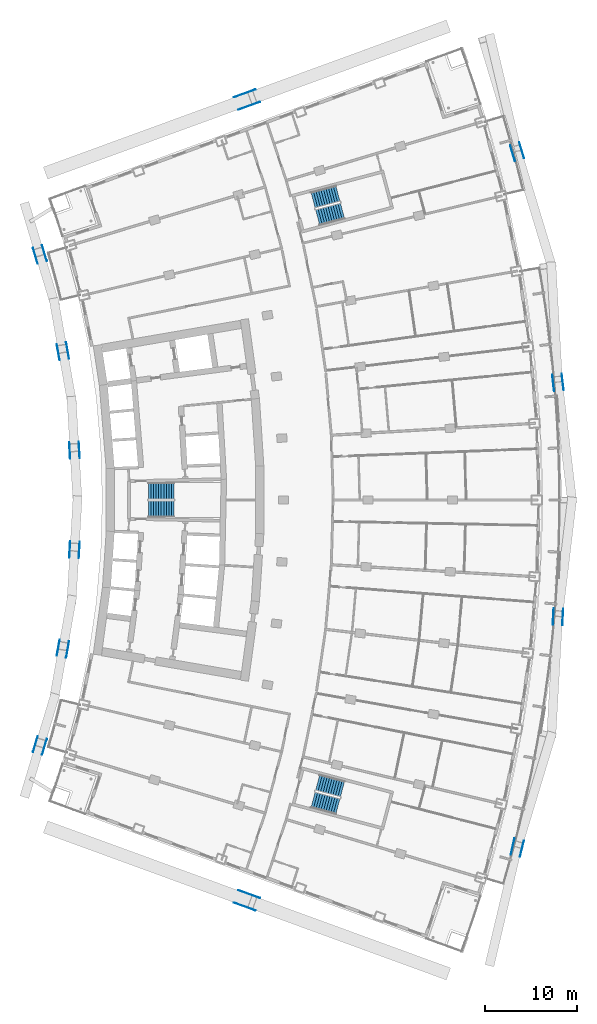
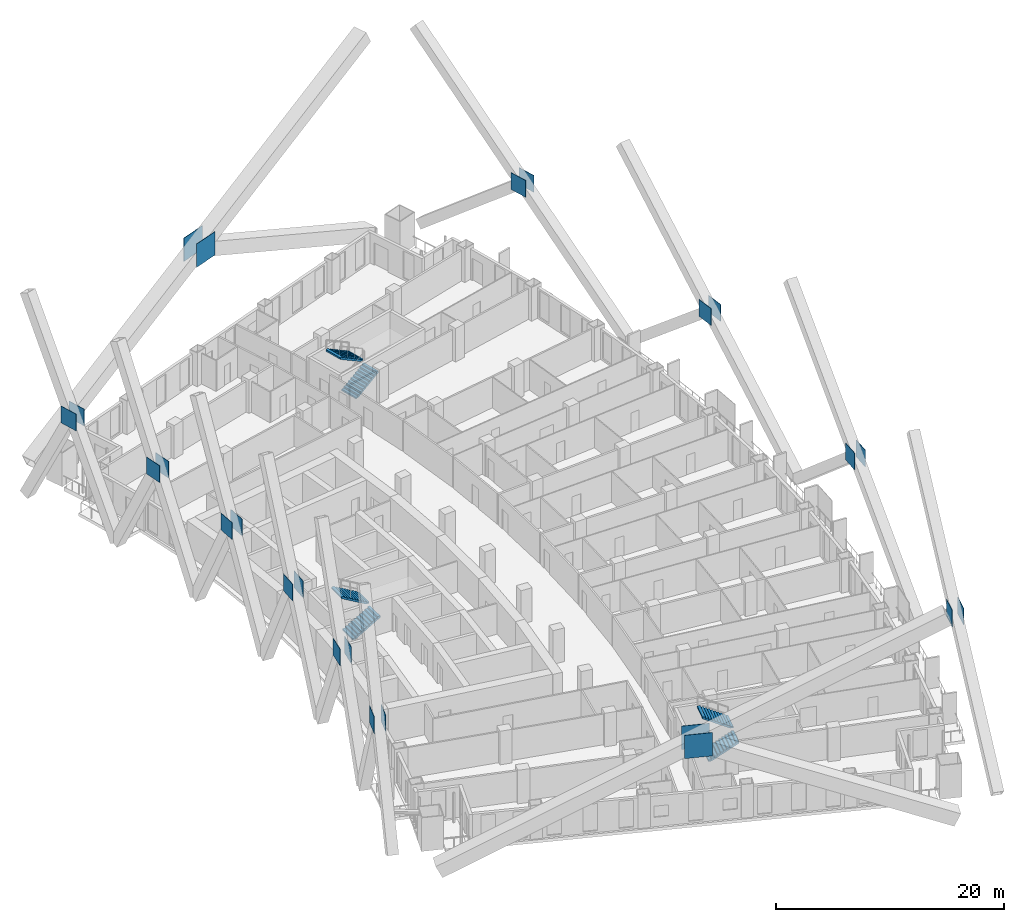
# One storey, part 22 of 25: 24 discrete accessories, 6 stair flights, 3 elements without a shape of their own.
"""IFC4 building model written with IfcOpenShell, lengths in metres."""

from ifc_helpers import new_model, si_unit, direction, frame, origin, origin_2d, place, context, subcontext, project, spatial, polyline, rectangle, outline, extrude, material, layer, layer_set, material_profile, profile_set, type_object, element, aggregate, save


model = new_model("IFC4")

# Units and contexts
model_context = context("Model", 3, precision=1e-05, world=origin(), true_north=direction((0.0, 1.0)))
body_context = subcontext(model_context, "Body", "Model", "MODEL_VIEW")
ifc_project = project(units=[si_unit("LENGTHUNIT", "METRE"), si_unit("AREAUNIT", "SQUARE_METRE"), si_unit("VOLUMEUNIT", "CUBIC_METRE"), si_unit("PLANEANGLEUNIT", "RADIAN"), si_unit("MASSUNIT", "GRAM", prefix="KILO")], contexts=[model_context])

# Site, building, storey
site_placement = place(None, origin())
site = spatial("IfcSite", under=ifc_project, at=site_placement, CompositionType="ELEMENT")
building_placement = place(site_placement, origin())
building = spatial("IfcBuilding", under=site, at=building_placement, Name="Alderwake Tower", CompositionType="ELEMENT")
storey_placement = place(building_placement, frame((0.0, 0.0, 32.0)))
storey = spatial("IfcBuildingStorey", under=building, at=storey_placement, Name="L06", CompositionType="ELEMENT", Elevation=32.0)

# Stair, stair flights
ifc_material_1 = material(Name="Concrete C40/50", Category="concrete")
stair_type = type_object("IfcStairType", Name="Core exit stair", PredefinedType="HALF_TURN_STAIR", material=ifc_material_1)
stair_1_placement = place(storey_placement, origin())
stair_1 = element("IfcStair", 1, at=stair_1_placement, inside=storey, type_object=stair_type, Name="L06 Exit Stair B", PredefinedType="HALF_TURN_STAIR")
ifc_material_2 = material(Name="Concrete C40/50", Category="concrete")
ifc_layer = layer(ifc_material_2, 0.14990234375)
ifc_layer_set = layer_set([ifc_layer], Name="Core stair flight")
stair_flight_type = type_object("IfcStairFlightType", Name="Core stair flight", PredefinedType="STRAIGHT", material=ifc_layer_set)
stair_flight_1_placement = place(storey_placement, frame((21.0400390625, 60.02490234375, 0.0), z_axis=(0.0, 0.0, 1.0), x_axis=(1.0, 0.0, 0.0)))
stair_flight_1 = element("IfcStairFlight", 2, at=stair_flight_1_placement, type_object=stair_flight_type, Name="ST-B flight 1", NumberOfRisers=11, NumberOfTreads=10, PredefinedType="STRAIGHT", RiserHeight=0.163636364, TreadLength=0.28, context=body_context, shape_type="SweptSolid", body=[
    extrude(outline(polyline([(0.0, 0.0), (0.0, 0.16357421875), (0.280029296875, 0.16357421875), (0.280029296875, 0.327392578125), (0.56005859375, 0.327392578125), (0.56005859375, 0.490966796875), (0.840087890625, 0.490966796875), (0.840087890625, 0.654541015625), (1.1201171875, 0.654541015625), (1.1201171875, 0.818115234375), (1.39990234375, 0.818115234375), (1.39990234375, 0.98193359375), (1.679931640625, 0.98193359375), (1.679931640625, 1.1455078125), (1.9599609375, 1.1455078125), (1.9599609375, 1.30908203125), (2.239990234375, 1.30908203125), (2.239990234375, 1.47265625), (2.52001953125, 1.47265625), (2.52001953125, 1.636474609375), (2.800048828125, 1.636474609375), (2.800048828125, 1.800048828125), (2.800048828125, 1.462646484375), (0.297119140625, 0.0), (0.0, 0.0)])), frame((0.0, 0.89990234375, 0.0), z_axis=(0.0, -1.0, 0.0), x_axis=(1.0, 0.0, 0.0)), (0.0, 0.0, 1.0), 1.800048828125),
])
stair_flight_2_placement = place(storey_placement, frame((23.840087890625, 61.97509765625, 1.800048828125), z_axis=(0.0, 0.0, 1.0), x_axis=(-1.0, 0.0, 0.0)))
stair_flight_2 = element("IfcStairFlight", 3, at=stair_flight_2_placement, type_object=stair_flight_type, Name="ST-B flight 2", NumberOfRisers=11, NumberOfTreads=10, PredefinedType="STRAIGHT", RiserHeight=0.163636364, TreadLength=0.28, context=body_context, shape_type="SweptSolid", body=[
    extrude(outline(polyline([(0.0, 0.0), (0.0, 0.16357421875), (0.280029296875, 0.16357421875), (0.280029296875, 0.327392578125), (0.56005859375, 0.327392578125), (0.56005859375, 0.490966796875), (0.840087890625, 0.490966796875), (0.840087890625, 0.654541015625), (1.1201171875, 0.654541015625), (1.1201171875, 0.818115234375), (1.39990234375, 0.818115234375), (1.39990234375, 0.98193359375), (1.679931640625, 0.98193359375), (1.679931640625, 1.1455078125), (1.9599609375, 1.1455078125), (1.9599609375, 1.30908203125), (2.239990234375, 1.30908203125), (2.239990234375, 1.47265625), (2.52001953125, 1.47265625), (2.52001953125, 1.636474609375), (2.800048828125, 1.636474609375), (2.800048828125, 1.800048828125), (2.800048828125, 1.462646484375), (0.297119140625, 0.0), (0.0, 0.0)])), frame((0.0, 0.89990234375, 0.0), z_axis=(0.0, -1.0, 0.0), x_axis=(1.0, 0.0, 0.0)), (0.0, 0.0, 1.0), 1.800048828125),
])
aggregate(stair_1, [stair_flight_1, stair_flight_2])

stair_2_placement = place(storey_placement, origin())
stair_2 = element("IfcStair", 4, at=stair_2_placement, inside=storey, type_object=stair_type, Name="L06 Exit Stair A", PredefinedType="HALF_TURN_STAIR")
stair_flight_3_placement = place(storey_placement, frame((39.512939453125, 91.823974609375, 0.0), z_axis=(0.0, 0.0, 1.0), x_axis=(0.966309627437, 0.257382407951, 0.0)))
stair_flight_3 = element("IfcStairFlight", 5, at=stair_flight_3_placement, type_object=stair_flight_type, Name="ST-A flight 1", NumberOfRisers=11, NumberOfTreads=10, PredefinedType="STRAIGHT", RiserHeight=0.163636364, TreadLength=0.28, context=body_context, shape_type="SweptSolid", body=[
    extrude(outline(polyline([(0.0, 0.0), (0.0, 0.16357421875), (0.280029296875, 0.16357421875), (0.280029296875, 0.327392578125), (0.56005859375, 0.327392578125), (0.56005859375, 0.490966796875), (0.840087890625, 0.490966796875), (0.840087890625, 0.654541015625), (1.1201171875, 0.654541015625), (1.1201171875, 0.818115234375), (1.39990234375, 0.818115234375), (1.39990234375, 0.98193359375), (1.679931640625, 0.98193359375), (1.679931640625, 1.1455078125), (1.9599609375, 1.1455078125), (1.9599609375, 1.30908203125), (2.239990234375, 1.30908203125), (2.239990234375, 1.47265625), (2.52001953125, 1.47265625), (2.52001953125, 1.636474609375), (2.800048828125, 1.636474609375), (2.800048828125, 1.800048828125), (2.800048828125, 1.462646484375), (0.297119140625, 0.0), (0.0, 0.0)])), frame((0.0, 0.89990234375, 0.0), z_axis=(0.0, -1.0, 0.0), x_axis=(1.0, 0.0, 0.0)), (0.0, 0.0, 1.0), 1.800048828125),
])
stair_flight_4_placement = place(storey_placement, frame((41.716796875, 94.428955078125, 1.800048828125), z_axis=(0.0, 0.0, 1.0), x_axis=(-0.966309627437, -0.257382407951, 0.0)))
stair_flight_4 = element("IfcStairFlight", 6, at=stair_flight_4_placement, type_object=stair_flight_type, Name="ST-A flight 2", NumberOfRisers=11, NumberOfTreads=10, PredefinedType="STRAIGHT", RiserHeight=0.163636364, TreadLength=0.28, context=body_context, shape_type="SweptSolid", body=[
    extrude(outline(polyline([(0.0, 0.0), (0.0, 0.16357421875), (0.280029296875, 0.16357421875), (0.280029296875, 0.327392578125), (0.56005859375, 0.327392578125), (0.56005859375, 0.490966796875), (0.840087890625, 0.490966796875), (0.840087890625, 0.654541015625), (1.1201171875, 0.654541015625), (1.1201171875, 0.818115234375), (1.39990234375, 0.818115234375), (1.39990234375, 0.98193359375), (1.679931640625, 0.98193359375), (1.679931640625, 1.1455078125), (1.9599609375, 1.1455078125), (1.9599609375, 1.30908203125), (2.239990234375, 1.30908203125), (2.239990234375, 1.47265625), (2.52001953125, 1.47265625), (2.52001953125, 1.636474609375), (2.800048828125, 1.636474609375), (2.800048828125, 1.800048828125), (2.800048828125, 1.462646484375), (0.297119140625, 0.0), (0.0, 0.0)])), frame((0.0, 0.89990234375, 0.0), z_axis=(0.0, -1.0, 0.0), x_axis=(1.0, 0.0, 0.0)), (0.0, 0.0, 1.0), 1.800048828125),
])
aggregate(stair_2, [stair_flight_3, stair_flight_4])

stair_3_placement = place(storey_placement, origin())
stair_3 = element("IfcStair", 7, at=stair_3_placement, inside=storey, type_object=stair_type, Name="L06 Exit Stair C", PredefinedType="HALF_TURN_STAIR")
stair_flight_5_placement = place(storey_placement, frame((39.010986328125, 28.291748046875, 0.0), z_axis=(0.0, 0.0, 1.0), x_axis=(0.966309627437, -0.257382407951, 0.0)))
stair_flight_5 = element("IfcStairFlight", 8, at=stair_flight_5_placement, type_object=stair_flight_type, Name="ST-C flight 1", NumberOfRisers=11, NumberOfTreads=10, PredefinedType="STRAIGHT", RiserHeight=0.163636364, TreadLength=0.28, context=body_context, shape_type="SweptSolid", body=[
    extrude(outline(polyline([(0.0, 0.0), (0.0, 0.16357421875), (0.280029296875, 0.16357421875), (0.280029296875, 0.327392578125), (0.56005859375, 0.327392578125), (0.56005859375, 0.490966796875), (0.840087890625, 0.490966796875), (0.840087890625, 0.654541015625), (1.1201171875, 0.654541015625), (1.1201171875, 0.818115234375), (1.39990234375, 0.818115234375), (1.39990234375, 0.98193359375), (1.679931640625, 0.98193359375), (1.679931640625, 1.1455078125), (1.9599609375, 1.1455078125), (1.9599609375, 1.30908203125), (2.239990234375, 1.30908203125), (2.239990234375, 1.47265625), (2.52001953125, 1.47265625), (2.52001953125, 1.636474609375), (2.800048828125, 1.636474609375), (2.800048828125, 1.800048828125), (2.800048828125, 1.462646484375), (0.297119140625, 0.0), (0.0, 0.0)])), frame((0.0, 0.89990234375, 0.0), z_axis=(0.0, -1.0, 0.0), x_axis=(1.0, 0.0, 0.0)), (0.0, 0.0, 1.0), 1.800048828125),
])
stair_flight_6_placement = place(storey_placement, frame((42.218505859375, 29.455322265625, 1.800048828125), z_axis=(0.0, 0.0, 1.0), x_axis=(-0.966309627437, 0.257382407951, 0.0)))
stair_flight_6 = element("IfcStairFlight", 9, at=stair_flight_6_placement, type_object=stair_flight_type, Name="ST-C flight 2", NumberOfRisers=11, NumberOfTreads=10, PredefinedType="STRAIGHT", RiserHeight=0.163636364, TreadLength=0.28, context=body_context, shape_type="SweptSolid", body=[
    extrude(outline(polyline([(0.0, 0.0), (0.0, 0.16357421875), (0.280029296875, 0.16357421875), (0.280029296875, 0.327392578125), (0.56005859375, 0.327392578125), (0.56005859375, 0.490966796875), (0.840087890625, 0.490966796875), (0.840087890625, 0.654541015625), (1.1201171875, 0.654541015625), (1.1201171875, 0.818115234375), (1.39990234375, 0.818115234375), (1.39990234375, 0.98193359375), (1.679931640625, 0.98193359375), (1.679931640625, 1.1455078125), (1.9599609375, 1.1455078125), (1.9599609375, 1.30908203125), (2.239990234375, 1.30908203125), (2.239990234375, 1.47265625), (2.52001953125, 1.47265625), (2.52001953125, 1.636474609375), (2.800048828125, 1.636474609375), (2.800048828125, 1.800048828125), (2.800048828125, 1.462646484375), (0.297119140625, 0.0), (0.0, 0.0)])), frame((0.0, 0.89990234375, 0.0), z_axis=(0.0, -1.0, 0.0), x_axis=(1.0, 0.0, 0.0)), (0.0, 0.0, 1.0), 1.800048828125),
])
aggregate(stair_3, [stair_flight_5, stair_flight_6])

# Discrete accessories
ifc_material_3 = material(Name="Steel ASTM A572 Grade 50", Category="steel")
ifc_material_profile_1 = material_profile(ifc_material_3, rectangle(XDim=1.800048828125, YDim=1.800048828125, at=origin_2d()), Name="gusset 1800X1800")
ifc_profile_set_1 = profile_set([ifc_material_profile_1], Name="Steel ASTM A572 Grade 50")
discrete_accessory_type_1 = type_object("IfcDiscreteAccessoryType", Name="Gusset plate 1800X1800X40", PredefinedType="USERDEFINED", material=ifc_profile_set_1)
for number, where, z_axis, x_axis, name in (
    (10, (61.7724609375, 22.958251953125, 10.800048828125), (0.972608962829, -0.232447425079, 0.0), (0.232447425079, 0.972608962829, 0.0), "Gusset plate BRF1.1.1B outer"),
    (11, (60.799072265625, 23.1875, 10.800048828125), (-0.973976588012, 0.226648639978, 0.0), (-0.226648639978, -0.973976588012, 0.0), "Gusset plate BRF1.1.1B inner"),
):
    element("IfcDiscreteAccessory", number, at=place(storey_placement, frame(where, z_axis=z_axis, x_axis=x_axis)), inside=storey, type_object=discrete_accessory_type_1, Name=name, ObjectType="GUSSET PLATE", PredefinedType="USERDEFINED", context=body_context, shape_type="SweptSolid", body=[
        extrude(rectangle(XDim=1.800048828125, YDim=1.800048828125, at=origin_2d()), origin(), (0.0, 0.0, 1.0), 0.039794921875),
    ])
for number, where, z_axis, x_axis, name in (
    (12, (66.23046875, 48.222900390625, 10.800048828125), (0.998497592519, -0.054795599589, 0.0), (0.054795599589, 0.998497592519, 0.0), "Gusset plate BRF1.1.4B outer"),
    (13, (65.232177734375, 48.279296875, 10.800048828125), (-0.998497592519, 0.054795599589, 0.0), (-0.054795599589, -0.998497592519, 0.0), "Gusset plate BRF1.1.4B inner"),
    (14, (66.2216796875, 73.8779296875, 10.800048828125), (0.992556374233, 0.121786058188, 0.0), (-0.121786058188, 0.992556374233, 0.0), "Gusset plate BRF1.1.7B outer"),
    (15, (65.228759765625, 73.759521484375, 10.800048828125), (-0.993274823804, -0.115780500934, 0.0), (0.115780500934, -0.993274823804, 0.0), "Gusset plate BRF1.1.7B inner"),
    (16, (61.74609375, 99.1396484375, 10.800048828125), (0.956304273979, 0.292373281217, 0.0), (-0.292373281217, 0.956304273979, 0.0), "Gusset plate BRF1.1.10B outer"),
    (17, (60.7890625, 98.85009765625, 10.800048828125), (-0.95799406309, -0.286788031626, 0.0), (0.286788031626, -0.95799406309, 0.0), "Gusset plate BRF1.1.10B inner"),
    (18, (9.6865234375, 34.073486328125, 10.800048828125), (0.95799406309, -0.286788031626, 0.0), (0.286788031626, 0.95799406309, 0.0), "Gusset plate BRR1.1.1B outer"),
    (19, (8.728759765625, 34.361083984375, 10.800048828125), (-0.95799406309, 0.286788031626, 0.0), (-0.286788031626, -0.95799406309, 0.0), "Gusset plate BRR1.1.1B inner"),
    (20, (12.211181640625, 44.6962890625, 10.800048828125), (0.984162001364, -0.177271416395, 0.0), (0.177271416395, 0.984162001364, 0.0), "Gusset plate BRR1.1.3B outer"),
    (21, (11.226318359375, 44.870361328125, 10.800048828125), (-0.984162001364, 0.177271416395, 0.0), (-0.177271416395, -0.984162001364, 0.0), "Gusset plate BRR1.1.3B inner"),
    (22, (13.48193359375, 55.540771484375, 10.800048828125), (0.998146155389, -0.060862570451, 0.0), (0.060862570451, 0.998146155389, 0.0), "Gusset plate BRR1.1.5B outer"),
    (23, (12.48388671875, 55.59912109375, 10.800048828125), (-0.998497592519, 0.054795599589, 0.0), (-0.054795599589, -0.998497592519, 0.0), "Gusset plate BRR1.1.5B inner"),
    (24, (13.48193359375, 66.459228515625, 10.800048828125), (0.998146155389, 0.060862570451, 0.0), (-0.060862570451, 0.998146155389, 0.0), "Gusset plate BRR1.1.7B outer"),
    (25, (12.48388671875, 66.40087890625, 10.800048828125), (-0.998497592519, -0.054795599589, 0.0), (0.054795599589, -0.998497592519, 0.0), "Gusset plate BRR1.1.7B inner"),
    (26, (12.211181640625, 77.3037109375, 10.800048828125), (0.984162001364, 0.177271416395, 0.0), (-0.177271416395, 0.984162001364, 0.0), "Gusset plate BRR1.1.9B outer"),
    (27, (11.226318359375, 77.129638671875, 10.800048828125), (-0.984162001364, -0.177271416395, 0.0), (0.177271416395, -0.984162001364, 0.0), "Gusset plate BRR1.1.9B inner"),
    (28, (9.6865234375, 87.926513671875, 10.800048828125), (0.95799406309, 0.286788031626, 0.0), (-0.286788031626, 0.95799406309, 0.0), "Gusset plate BRR1.1.11B outer"),
    (29, (8.728759765625, 87.638916015625, 10.800048828125), (-0.95799406309, -0.286788031626, 0.0), (0.286788031626, -0.95799406309, 0.0), "Gusset plate BRR1.1.11B inner"),
):
    element("IfcDiscreteAccessory", number, at=place(storey_placement, frame(where, z_axis=z_axis, x_axis=x_axis)), inside=storey, type_object=discrete_accessory_type_1, Name=name, ObjectType="GUSSET PLATE", PredefinedType="USERDEFINED", context=body_context, shape_type="SweptSolid", body=[
        extrude(rectangle(XDim=1.800048828125, YDim=1.800048828125, at=origin_2d()), origin(), (0.0, 0.0, 1.0), 0.0400390625),
    ])
ifc_material_4 = material(Name="Steel ASTM A572 Grade 50", Category="steel")
ifc_material_profile_2 = material_profile(ifc_material_4, rectangle(XDim=2.5, YDim=2.5, at=origin_2d()), Name="gusset 2500X2500")
ifc_profile_set_2 = profile_set([ifc_material_profile_2], Name="Steel ASTM A572 Grade 50")
discrete_accessory_type_2 = type_object("IfcDiscreteAccessoryType", Name="Gusset plate 2500X2500X40", PredefinedType="USERDEFINED", material=ifc_profile_set_2)
for number, where, z_axis, x_axis, name in (
    (30, (31.558837890625, 16.658447265625, 10.800048828125), (-0.341743063087, -0.939793423488, 0.0), (0.939793423488, -0.341743063087, 0.0), "Gusset plate BRS1.1.0B outer"),
    (31, (32.038818359375, 17.973388671875, 10.800048828125), (0.341743063087, 0.939793423488, 0.0), (-0.939793423488, 0.341743063087, 0.0), "Gusset plate BRS1.1.0B inner"),
    (32, (31.558837890625, 105.341552734375, 10.800048828125), (-0.341743063087, 0.939793423488, 0.0), (-0.939793423488, -0.341743063087, 0.0), "Gusset plate BRN1.1.0B outer"),
    (33, (32.038818359375, 104.026611328125, 10.800048828125), (0.341743063087, -0.939793423488, 0.0), (0.939793423488, 0.341743063087, 0.0), "Gusset plate BRN1.1.0B inner"),
):
    element("IfcDiscreteAccessory", number, at=place(storey_placement, frame(where, z_axis=z_axis, x_axis=x_axis)), inside=storey, type_object=discrete_accessory_type_2, Name=name, ObjectType="GUSSET PLATE", PredefinedType="USERDEFINED", context=body_context, shape_type="SweptSolid", body=[
        extrude(rectangle(XDim=2.5, YDim=2.5, at=origin_2d()), origin(), (0.0, 0.0, 1.0), 0.0400390625),
    ])

save(model, "model.ifc")
